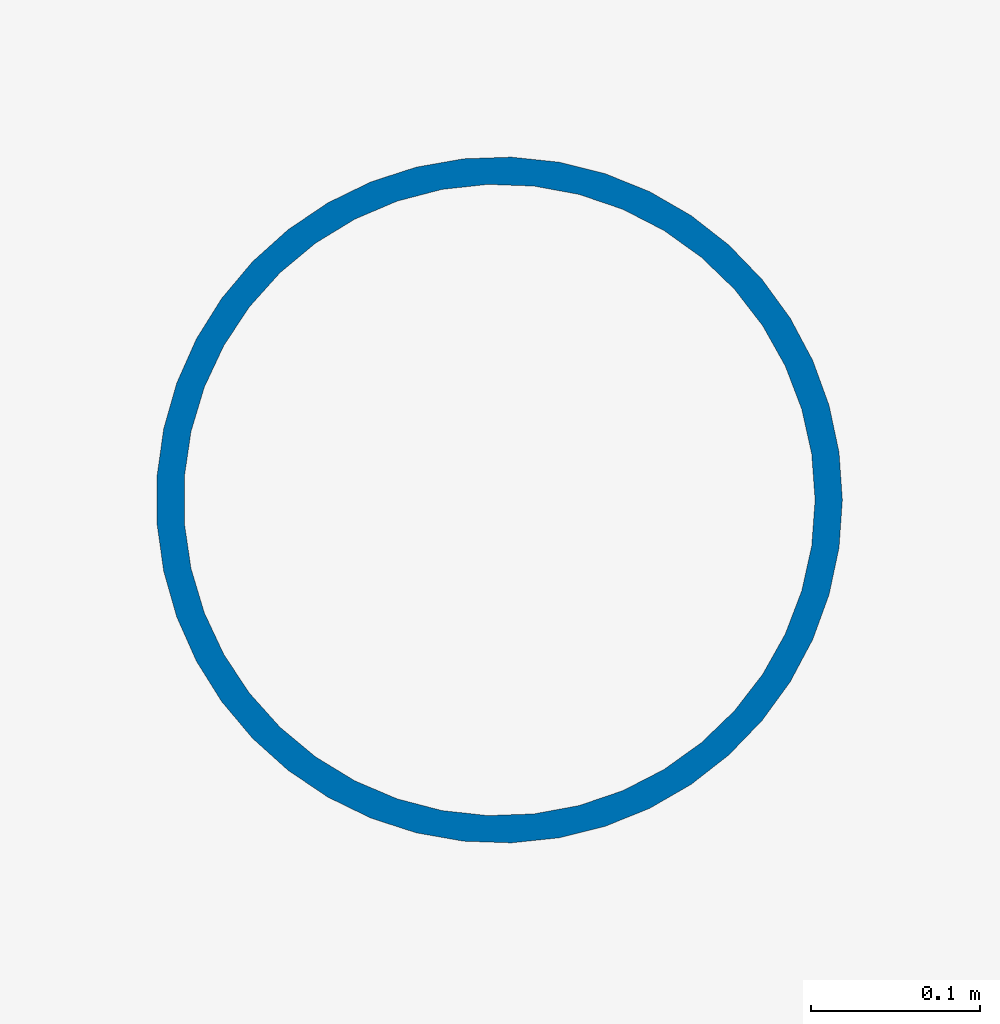
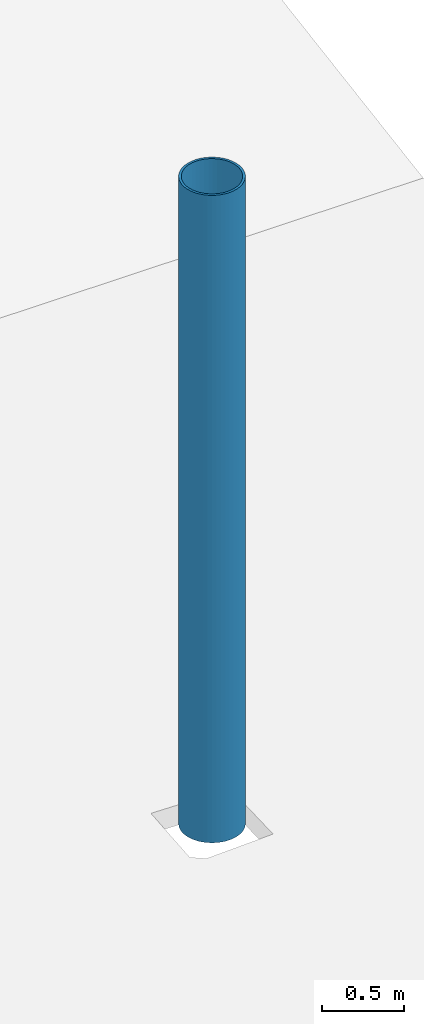
# One storey, part 11 of 91: 1 column.
"""IFC4 building model written with IfcOpenShell, lengths in metres."""

from ifc_helpers import new_model, si_unit, direction, frame, origin, origin_2d, place, context, subcontext, project, spatial, hollow_circle, extrude, material, material_profile, profile_set, type_object, element, save


model = new_model("IFC4")

# Units and contexts
model_context = context("Model", 3, precision=1e-05, world=origin(), true_north=direction((0.0, 1.0)))
body_context = subcontext(model_context, "Body", "Model", "MODEL_VIEW")
ifc_project = project(units=[si_unit("LENGTHUNIT", "METRE"), si_unit("AREAUNIT", "SQUARE_METRE"), si_unit("VOLUMEUNIT", "CUBIC_METRE"), si_unit("PLANEANGLEUNIT", "RADIAN"), si_unit("MASSUNIT", "GRAM", prefix="KILO")], contexts=[model_context])

# Site, building, storey
site_placement = place(None, origin())
site = spatial("IfcSite", under=ifc_project, at=site_placement, CompositionType="ELEMENT")
building_placement = place(site_placement, origin())
building = spatial("IfcBuilding", under=site, at=building_placement, Name="Magnolia Steps Interchange", CompositionType="ELEMENT")
storey_placement = place(building_placement, origin())
storey = spatial("IfcBuildingStorey", under=building, at=storey_placement, Name="L00", CompositionType="ELEMENT", Elevation=0.0)

# Column
ifc_material = material(Name="Steel Q355B", Category="steel")
ifc_material_profile = material_profile(ifc_material, hollow_circle(Radius=0.202880859375, WallThickness=0.01611328125, at=origin_2d()), Name="CHS406x16")
ifc_profile_set = profile_set([ifc_material_profile], Name="Steel Q355B")
column_type = type_object("IfcColumnType", Name="Truss tip prop CHS406x16", PredefinedType="COLUMN", material=ifc_profile_set)
column_placement = place(storey_placement, frame((191.320556640625, 83.320556640625, 0.0), z_axis=(0.0, 0.0, 1.0), x_axis=(1.0, 0.0, 0.0)))
element("IfcColumn", 1, at=column_placement, inside=storey, type_object=column_type, Name="Tip prop SP-C-NE", PredefinedType="COLUMN", context=body_context, shape_type="SweptSolid", body=[
    extrude(hollow_circle(Radius=0.202880859375, WallThickness=0.01611328125, at=origin_2d()), origin(), (0.0, 0.0, 1.0), 4.800048828125),
])

save(model, "model.ifc")
